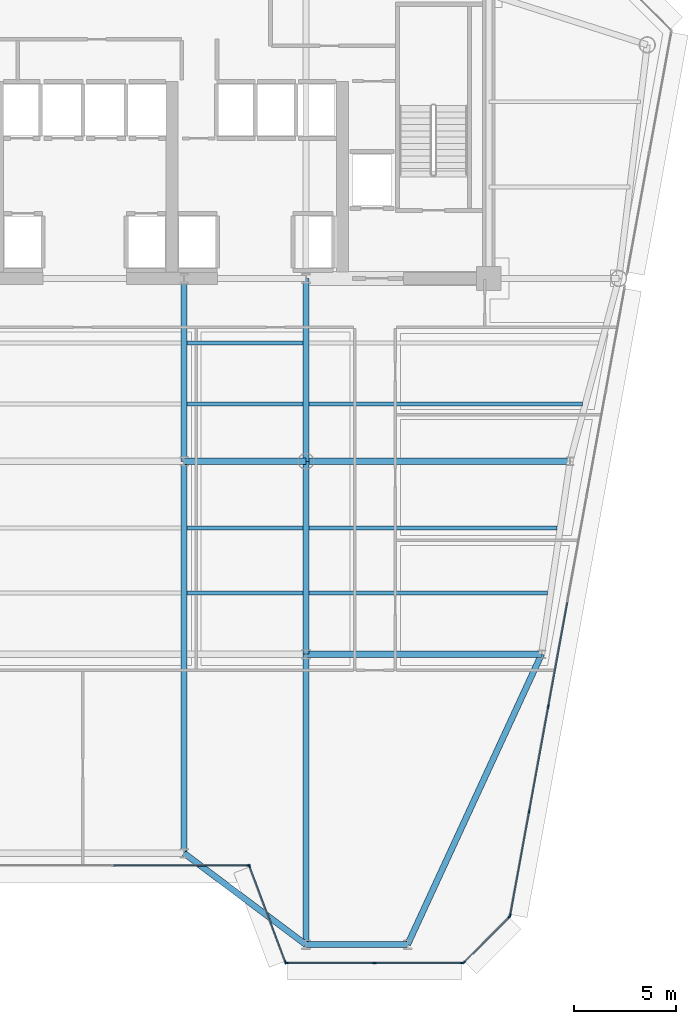
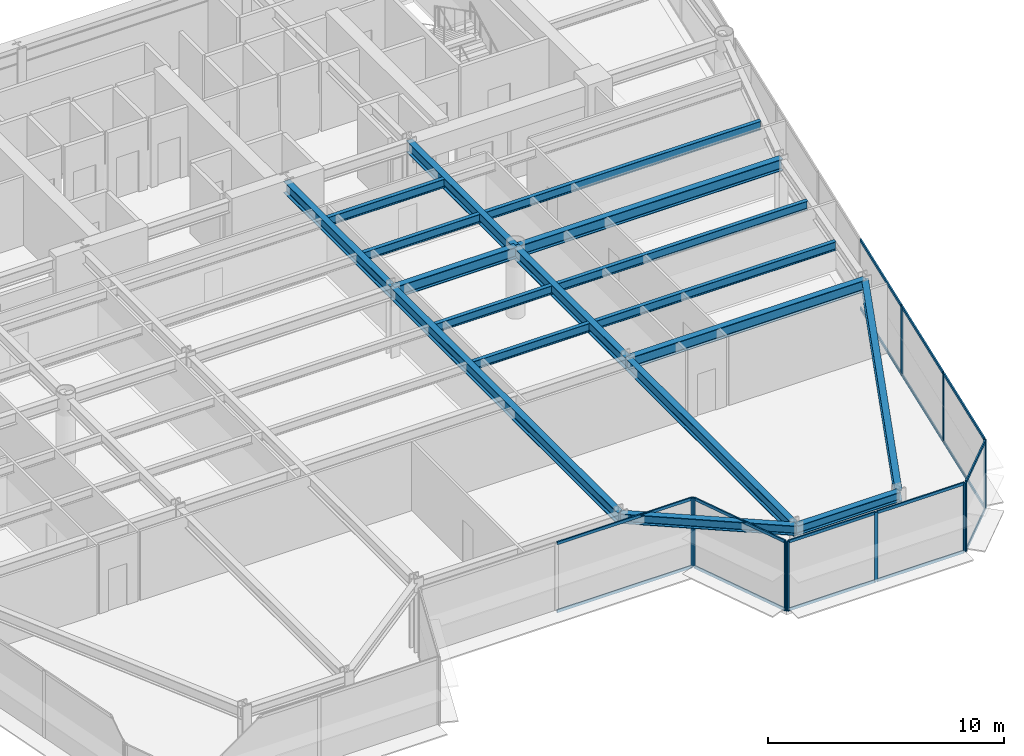
# One storey, part 5 of 17: 27 members, 18 beams, 5 elements without a shape of their own.
"""IFC4 building model written with IfcOpenShell, lengths in metres."""

from ifc_helpers import new_model, si_unit, direction, frame, origin, origin_2d, place, context, subcontext, project, spatial, rectangle, i_section, extrude, source, transform, mapped, material, layer, layer_set, material_profile, profile_set, type_object, element, aggregate, save


model = new_model("IFC4")

# Units and contexts
model_context = context("Model", 3, precision=1e-05, world=origin(), true_north=direction((0.0, 1.0)))
body_context = subcontext(model_context, "Body", "Model", "MODEL_VIEW")
ifc_project = project(units=[si_unit("LENGTHUNIT", "METRE"), si_unit("AREAUNIT", "SQUARE_METRE"), si_unit("VOLUMEUNIT", "CUBIC_METRE"), si_unit("PLANEANGLEUNIT", "RADIAN"), si_unit("MASSUNIT", "GRAM", prefix="KILO")], contexts=[model_context])

# Site, building, storey
site_placement = place(None, origin())
site = spatial("IfcSite", under=ifc_project, at=site_placement, CompositionType="ELEMENT")
building_placement = place(site_placement, origin())
building = spatial("IfcBuilding", under=site, at=building_placement, Name="Vaeldorn Concourse Tower", CompositionType="ELEMENT")
storey_placement = place(building_placement, frame((0.0, 0.0, 169.0)))
storey = spatial("IfcBuildingStorey", under=building, at=storey_placement, Name="L43", CompositionType="ELEMENT", Elevation=169.0)

# Beams
ifc_material_1 = material(Name="Steel S355", Category="steel")
ifc_material_profile_1 = material_profile(ifc_material_1, i_section(OverallWidth=0.300048828125, OverallDepth=0.5, WebThickness=0.014404296875, FlangeThickness=0.028076171875, FilletRadius=0.027099609375, at=origin_2d()), Name="HEB 500")
ifc_profile_set_1 = profile_set([ifc_material_profile_1], Name="Steel S355")
beam_type_1 = type_object("IfcBeamType", Name="BM-SP-HEB500", PredefinedType="SPANDREL", material=ifc_profile_set_1)
shared_shape_1 = source(origin(), body_context, "Body", "SweptSolid", [
    extrude(i_section(OverallWidth=0.300048828125, OverallDepth=0.5, WebThickness=0.014404296875, FlangeThickness=0.028076171875, FilletRadius=0.027099609375, at=origin_2d()), origin(), (0.0, 0.0, 1.0), 5.0),
])
beam_1_placement = place(storey_placement, frame((45.0, 3.699951171875, 3.330078125), z_axis=(1.0, 0.0, 0.0), x_axis=(0.0, 1.0, 0.0)))
element("IfcBeam", 1, at=beam_1_placement, inside=storey, type_object=beam_type_1, Name="Beam BM-L43-C-SF5-C-SF6", PredefinedType="SPANDREL", context=body_context, shape_type="MappedRepresentation", body=[
    mapped(shared_shape_1, transform((0.0, 0.0, 0.0), scale=1.0)),
])
shared_shape_2 = source(origin(), body_context, "Body", "SweptSolid", [
    extrude(i_section(OverallWidth=0.300048828125, OverallDepth=0.5, WebThickness=0.014404296875, FlangeThickness=0.028076171875, FilletRadius=0.027099609375, at=origin_2d()), origin(), (0.0, 0.0, 1.0), 7.5),
])
beam_2_placement = place(storey_placement, frame((39.0, 8.199951171875, 3.330078125), z_axis=(0.8, -0.6, 0.0), x_axis=(0.6, 0.8, 0.0)))
element("IfcBeam", 2, at=beam_2_placement, inside=storey, type_object=beam_type_1, Name="Beam BM-L43-C-SF4-C-SF5", PredefinedType="SPANDREL", context=body_context, shape_type="MappedRepresentation", body=[
    mapped(shared_shape_2, transform((0.0, 0.0, 0.0), scale=1.0)),
])
ifc_material_profile_2 = material_profile(ifc_material_1, i_section(OverallWidth=0.18994140625, OverallDepth=0.449951171875, WebThickness=0.009521484375, FlangeThickness=0.0146484375, FilletRadius=0.02099609375, at=origin_2d()), Name="IPE 450")
ifc_profile_set_2 = profile_set([ifc_material_profile_2], Name="Steel S355")
beam_type_2 = type_object("IfcBeamType", Name="BM-JS-IPE450", PredefinedType="JOIST", material=ifc_profile_set_2)
shared_shape_3 = source(origin(), body_context, "Body", "SweptSolid", [
    extrude(i_section(OverallWidth=0.18994140625, OverallDepth=0.449951171875, WebThickness=0.009521484375, FlangeThickness=0.0146484375, FilletRadius=0.02099609375, at=origin_2d()), origin(), (0.0, 0.0, 1.0), 5.7001953125),
])
for number, where, z_axis, x_axis, name in (
    (3, (39.14990234375, 21.02001953125, 3.35498046875), (1.0, 0.0, 0.0), (0.0, 1.0, 0.0), "Beam JS-L43-E2-210"),
    (4, (39.14990234375, 24.219970703125, 3.35498046875), (1.0, 0.0, 0.0), (0.0, 1.0, 0.0), "Beam JS-L43-E2-242"),
    (5, (39.14990234375, 30.320068359375, 3.35498046875), (1.0, 0.0, 0.0), (0.0, 1.0, 0.0), "Beam JS-L43-E2-303"),
    (6, (39.14990234375, 33.320068359375, 3.35498046875), (1.0, 0.0, 0.0), (0.0, 1.0, 0.0), "Beam JS-L43-E2-333"),
):
    element("IfcBeam", number, at=place(storey_placement, frame(where, z_axis=z_axis, x_axis=x_axis)), inside=storey, type_object=beam_type_2, Name=name, PredefinedType="JOIST", context=body_context, shape_type="MappedRepresentation", body=[
        mapped(shared_shape_3, transform((0.0, 0.0, 0.0), scale=1.0)),
    ])
shared_shape_4 = source(origin(), body_context, "Body", "SweptSolid", [
    extrude(i_section(OverallWidth=0.18994140625, OverallDepth=0.449951171875, WebThickness=0.009521484375, FlangeThickness=0.0146484375, FilletRadius=0.02099609375, at=origin_2d()), origin(), (0.0, 0.0, 1.0), 11.7451171875),
])
beam_3_placement = place(storey_placement, frame((45.14990234375, 21.02001953125, 3.35498046875), z_axis=(1.0, 0.0, 0.0), x_axis=(0.0, 1.0, 0.0)))
element("IfcBeam", 7, at=beam_3_placement, inside=storey, type_object=beam_type_2, Name="Beam JS-L43-E1-210", PredefinedType="JOIST", context=body_context, shape_type="MappedRepresentation", body=[
    mapped(shared_shape_4, transform((0.0, 0.0, 0.0), scale=1.0)),
])
shared_shape_5 = source(origin(), body_context, "Body", "SweptSolid", [
    extrude(i_section(OverallWidth=0.18994140625, OverallDepth=0.449951171875, WebThickness=0.009521484375, FlangeThickness=0.0146484375, FilletRadius=0.02099609375, at=origin_2d()), origin(), (0.0, 0.0, 1.0), 12.216796875),
])
beam_4_placement = place(storey_placement, frame((45.14990234375, 24.219970703125, 3.35498046875), z_axis=(1.0, 0.0, 0.0), x_axis=(0.0, 1.0, 0.0)))
element("IfcBeam", 8, at=beam_4_placement, inside=storey, type_object=beam_type_2, Name="Beam JS-L43-E1-242", PredefinedType="JOIST", context=body_context, shape_type="MappedRepresentation", body=[
    mapped(shared_shape_5, transform((0.0, 0.0, 0.0), scale=1.0)),
])
shared_shape_6 = source(origin(), body_context, "Body", "SweptSolid", [
    extrude(i_section(OverallWidth=0.18994140625, OverallDepth=0.449951171875, WebThickness=0.009521484375, FlangeThickness=0.0146484375, FilletRadius=0.02099609375, at=origin_2d()), origin(), (0.0, 0.0, 1.0), 13.4521484375),
])
beam_5_placement = place(storey_placement, frame((45.14990234375, 30.320068359375, 3.35498046875), z_axis=(1.0, 0.0, 0.0), x_axis=(0.0, 1.0, 0.0)))
element("IfcBeam", 9, at=beam_5_placement, inside=storey, type_object=beam_type_2, Name="Beam JS-L43-E1-303", PredefinedType="JOIST", context=body_context, shape_type="MappedRepresentation", body=[
    mapped(shared_shape_6, transform((0.0, 0.0, 0.0), scale=1.0)),
])
ifc_material_profile_3 = material_profile(ifc_material_1, i_section(OverallWidth=0.300048828125, OverallDepth=0.60009765625, WebThickness=0.015380859375, FlangeThickness=0.030029296875, FilletRadius=0.027099609375, at=origin_2d()), Name="HEB 600")
ifc_profile_set_3 = profile_set([ifc_material_profile_3], Name="Steel S355")
beam_type_3 = type_object("IfcBeamType", Name="BM-PG-HEB600", PredefinedType="BEAM", material=ifc_profile_set_3)
shared_shape_7 = source(origin(), body_context, "Body", "SweptSolid", [
    extrude(i_section(OverallWidth=0.300048828125, OverallDepth=0.60009765625, WebThickness=0.015380859375, FlangeThickness=0.030029296875, FilletRadius=0.027099609375, at=origin_2d()), origin(), (0.0, 0.0, 1.0), 6.0),
])
beam_6_placement = place(storey_placement, frame((39.0, 27.5, 3.280029296875), z_axis=(1.0, 0.0, 0.0), x_axis=(0.0, 1.0, 0.0)))
element("IfcBeam", 10, at=beam_6_placement, inside=storey, type_object=beam_type_3, Name="Beam BM-L43-C-TW3-C-TW4", PredefinedType="BEAM", context=body_context, shape_type="MappedRepresentation", body=[
    mapped(shared_shape_7, transform((0.0, 0.0, 0.0), scale=1.0)),
])
shared_shape_8 = source(origin(), body_context, "Body", "SweptSolid", [
    extrude(i_section(OverallWidth=0.300048828125, OverallDepth=0.60009765625, WebThickness=0.015380859375, FlangeThickness=0.030029296875, FilletRadius=0.027099609375, at=origin_2d()), origin(), (0.0, 0.0, 1.0), 9.0),
])
for number, where, z_axis, x_axis, name in (
    (11, (39.0, 27.5, 3.280029296875), (0.0, 1.0, 0.0), (-1.0, 0.0, 0.0), "Beam BM-L43-C-TW3-C-FC4"),
    (12, (45.0, 27.5, 3.280029296875), (0.0, 1.0, 0.0), (-1.0, 0.0, 0.0), "Beam BM-L43-C-TW4-C-FC5"),
):
    element("IfcBeam", number, at=place(storey_placement, frame(where, z_axis=z_axis, x_axis=x_axis)), inside=storey, type_object=beam_type_3, Name=name, PredefinedType="BEAM", context=body_context, shape_type="MappedRepresentation", body=[
        mapped(shared_shape_8, transform((0.0, 0.0, 0.0), scale=1.0)),
    ])
shared_shape_9 = source(origin(), body_context, "Body", "SweptSolid", [
    extrude(i_section(OverallWidth=0.300048828125, OverallDepth=0.60009765625, WebThickness=0.015380859375, FlangeThickness=0.030029296875, FilletRadius=0.027099609375, at=origin_2d()), origin(), (0.0, 0.0, 1.0), 13.0),
])
beam_7_placement = place(storey_placement, frame((45.0, 27.5, 3.280029296875), z_axis=(1.0, 0.0, 0.0), x_axis=(0.0, 1.0, 0.0)))
element("IfcBeam", 13, at=beam_7_placement, inside=storey, type_object=beam_type_3, Name="Beam BM-L43-C-TW4-C-FLE1", PredefinedType="BEAM", context=body_context, shape_type="MappedRepresentation", body=[
    mapped(shared_shape_9, transform((0.0, 0.0, 0.0), scale=1.0)),
])
shared_shape_10 = source(origin(), body_context, "Body", "SweptSolid", [
    extrude(i_section(OverallWidth=0.300048828125, OverallDepth=0.60009765625, WebThickness=0.015380859375, FlangeThickness=0.030029296875, FilletRadius=0.027099609375, at=origin_2d()), origin(), (0.0, 0.0, 1.0), 11.60009765625),
])
beam_8_placement = place(storey_placement, frame((45.0, 18.0, 3.280029296875), z_axis=(1.0, 0.0, 0.0), x_axis=(0.0, 1.0, 0.0)))
element("IfcBeam", 14, at=beam_8_placement, inside=storey, type_object=beam_type_3, Name="Beam BM-L43-C-TW6-C-FLE2", PredefinedType="BEAM", context=body_context, shape_type="MappedRepresentation", body=[
    mapped(shared_shape_10, transform((0.0, 0.0, 0.0), scale=1.0)),
])
shared_shape_11 = source(origin(), body_context, "Body", "SweptSolid", [
    extrude(i_section(OverallWidth=0.300048828125, OverallDepth=0.60009765625, WebThickness=0.015380859375, FlangeThickness=0.030029296875, FilletRadius=0.027099609375, at=origin_2d()), origin(), (0.0, 0.0, 1.0), 9.5),
])
beam_9_placement = place(storey_placement, frame((45.0, 18.0, 3.280029296875), z_axis=(0.0, 1.0, 0.0), x_axis=(-1.0, 0.0, 0.0)))
element("IfcBeam", 15, at=beam_9_placement, inside=storey, type_object=beam_type_3, Name="Beam BM-L43-C-TW6-C-TW4", PredefinedType="BEAM", context=body_context, shape_type="MappedRepresentation", body=[
    mapped(shared_shape_11, transform((0.0, 0.0, 0.0), scale=1.0)),
])
shared_shape_12 = source(origin(), body_context, "Body", "SweptSolid", [
    extrude(i_section(OverallWidth=0.300048828125, OverallDepth=0.60009765625, WebThickness=0.015380859375, FlangeThickness=0.030029296875, FilletRadius=0.027099609375, at=origin_2d()), origin(), (0.0, 0.0, 1.0), 15.749755859375),
])
beam_10_placement = place(storey_placement, frame((50.0, 3.699951171875, 3.280029296875), z_axis=(0.419062109495, 0.907957569706, 0.0), x_axis=(-0.907957569706, 0.419062109495, 0.0)))
element("IfcBeam", 16, at=beam_10_placement, inside=storey, type_object=beam_type_3, Name="Beam BM-L43-C-SF6-C-FLE2", PredefinedType="BEAM", context=body_context, shape_type="MappedRepresentation", body=[
    mapped(shared_shape_12, transform((0.0, 0.0, 0.0), scale=1.0)),
])
shared_shape_13 = source(origin(), body_context, "Body", "SweptSolid", [
    extrude(i_section(OverallWidth=0.300048828125, OverallDepth=0.60009765625, WebThickness=0.015380859375, FlangeThickness=0.030029296875, FilletRadius=0.027099609375, at=origin_2d()), origin(), (0.0, 0.0, 1.0), 14.300048828125),
])
beam_11_placement = place(storey_placement, frame((45.0, 3.699951171875, 3.280029296875), z_axis=(0.0, 1.0, 0.0), x_axis=(-1.0, 0.0, 0.0)))
element("IfcBeam", 17, at=beam_11_placement, inside=storey, type_object=beam_type_3, Name="Beam BM-L43-C-SF5-C-TW6", PredefinedType="BEAM", context=body_context, shape_type="MappedRepresentation", body=[
    mapped(shared_shape_13, transform((0.0, 0.0, 0.0), scale=1.0)),
])
shared_shape_14 = source(origin(), body_context, "Body", "SweptSolid", [
    extrude(i_section(OverallWidth=0.300048828125, OverallDepth=0.60009765625, WebThickness=0.015380859375, FlangeThickness=0.030029296875, FilletRadius=0.027099609375, at=origin_2d()), origin(), (0.0, 0.0, 1.0), 19.300048828125),
])
beam_12_placement = place(storey_placement, frame((39.0, 8.199951171875, 3.280029296875), z_axis=(0.0, 1.0, 0.0), x_axis=(-1.0, 0.0, 0.0)))
element("IfcBeam", 18, at=beam_12_placement, inside=storey, type_object=beam_type_3, Name="Beam BM-L43-C-SF4-C-TW3", PredefinedType="BEAM", context=body_context, shape_type="MappedRepresentation", body=[
    mapped(shared_shape_14, transform((0.0, 0.0, 0.0), scale=1.0)),
])

# Curtain wall, members
ifc_material_2 = material(Name="Anodised Bronze Aluminium", Category="aluminium")
ifc_layer = layer(ifc_material_2, 0.18994140625)
ifc_layer_set = layer_set([ifc_layer], Name="Anodised Bronze Aluminium")
curtain_wall_type = type_object("IfcCurtainWallType", Name="CW-SYS-03", PredefinedType="NOTDEFINED", material=ifc_layer_set)
curtain_wall_1_placement = place(storey_placement, origin())
curtain_wall_1 = element("IfcCurtainWall", 19, at=curtain_wall_1_placement, inside=storey, type_object=curtain_wall_type, Name="Unitised Curtain Wall CW-L43-E04-1", PredefinedType="NOTDEFINED")
ifc_material_profile_4 = material_profile(ifc_material_2, rectangle(XDim=0.06494140625, YDim=0.14990234375, at=origin_2d()), Name="CWT 65x150")
ifc_profile_set_4 = profile_set([ifc_material_profile_4], Name="Anodised Bronze Aluminium")
member_type_1 = type_object("IfcMemberType", Name="CWT-BRONZE-150", PredefinedType="USERDEFINED", material=ifc_profile_set_4)
shared_shape_15 = source(origin(), body_context, "Body", "SweptSolid", [
    extrude(rectangle(XDim=0.06494140625, YDim=0.14990234375, at=origin_2d()), origin(), (0.0, 0.0, 1.0), 4.996337890625),
])
member_1_placement = place(storey_placement, frame((42.222900390625, 7.5390625, 0.032470703125), z_axis=(0.351134151405, -0.936325161318, 0.0), x_axis=(0.936325161318, 0.351134151405, 0.0)))
member_1 = element("IfcMember", 20, at=member_1_placement, type_object=member_type_1, Name="CW-03 transom 1.1", ObjectType="TRANSOM", PredefinedType="USERDEFINED", context=body_context, shape_type="MappedRepresentation", body=[
    mapped(shared_shape_15, transform((0.0, 0.0, 0.0), scale=1.0)),
])
member_2_placement = place(storey_placement, frame((42.222900390625, 7.5390625, 3.547607421875), z_axis=(0.351134151405, -0.936325161318, 0.0), x_axis=(0.936325161318, 0.351134151405, 0.0)))
member_2 = element("IfcMember", 21, at=member_2_placement, type_object=member_type_1, Name="CW-03 transom 1.2", ObjectType="TRANSOM", PredefinedType="USERDEFINED", context=body_context, shape_type="MappedRepresentation", body=[
    mapped(shared_shape_15, transform((0.0, 0.0, 0.0), scale=1.0)),
])

curtain_wall_2_placement = place(storey_placement, origin())
curtain_wall_2 = element("IfcCurtainWall", 22, at=curtain_wall_2_placement, inside=storey, type_object=curtain_wall_type, Name="Unitised Curtain Wall CW-L43-E03-1", PredefinedType="NOTDEFINED")
shared_shape_16 = source(origin(), body_context, "Body", "SweptSolid", [
    extrude(rectangle(XDim=0.06494140625, YDim=0.14990234375, at=origin_2d()), origin(), (0.0, 0.0, 1.0), 6.6025390625),
])
member_3_placement = place(storey_placement, frame((35.532470703125, 7.60009765625, 0.032470703125), z_axis=(1.0, 0.0, 0.0), x_axis=(0.0, 1.0, 0.0)))
member_3 = element("IfcMember", 23, at=member_3_placement, type_object=member_type_1, Name="CW-03 transom 2.1", ObjectType="TRANSOM", PredefinedType="USERDEFINED", context=body_context, shape_type="MappedRepresentation", body=[
    mapped(shared_shape_16, transform((0.0, 0.0, 0.0), scale=1.0)),
])
member_4_placement = place(storey_placement, frame((35.532470703125, 7.60009765625, 3.547607421875), z_axis=(1.0, 0.0, 0.0), x_axis=(0.0, 1.0, 0.0)))
member_4 = element("IfcMember", 24, at=member_4_placement, type_object=member_type_1, Name="CW-03 transom 2.2", ObjectType="TRANSOM", PredefinedType="USERDEFINED", context=body_context, shape_type="MappedRepresentation", body=[
    mapped(shared_shape_16, transform((0.0, 0.0, 0.0), scale=1.0)),
])

curtain_wall_3_placement = place(storey_placement, origin())
curtain_wall_3 = element("IfcCurtainWall", 25, at=curtain_wall_3_placement, inside=storey, type_object=curtain_wall_type, Name="Unitised Curtain Wall CW-L43-E06-1", PredefinedType="NOTDEFINED")
shared_shape_17 = source(origin(), body_context, "Body", "SweptSolid", [
    extrude(rectangle(XDim=0.06494140625, YDim=0.14990234375, at=origin_2d()), origin(), (0.0, 0.0, 1.0), 3.12255859375),
])
member_5_placement = place(storey_placement, frame((52.79296875, 2.845947265625, 0.032470703125), z_axis=(0.707106781187, 0.707106781187, 0.0), x_axis=(-0.707106781187, 0.707106781187, 0.0)))
member_5 = element("IfcMember", 26, at=member_5_placement, type_object=member_type_1, Name="CW-03 transom 1.1", ObjectType="TRANSOM", PredefinedType="USERDEFINED", context=body_context, shape_type="MappedRepresentation", body=[
    mapped(shared_shape_17, transform((0.0, 0.0, 0.0), scale=1.0)),
])
member_6_placement = place(storey_placement, frame((52.79296875, 2.845947265625, 3.547607421875), z_axis=(0.707106781187, 0.707106781187, 0.0), x_axis=(-0.707106781187, 0.707106781187, 0.0)))
member_6 = element("IfcMember", 27, at=member_6_placement, type_object=member_type_1, Name="CW-03 transom 1.2", ObjectType="TRANSOM", PredefinedType="USERDEFINED", context=body_context, shape_type="MappedRepresentation", body=[
    mapped(shared_shape_17, transform((0.0, 0.0, 0.0), scale=1.0)),
])

curtain_wall_4_placement = place(storey_placement, origin())
curtain_wall_4 = element("IfcCurtainWall", 28, at=curtain_wall_4_placement, inside=storey, type_object=curtain_wall_type, Name="Unitised Curtain Wall CW-L43-E05-1", PredefinedType="NOTDEFINED")
shared_shape_18 = source(origin(), body_context, "Body", "SweptSolid", [
    extrude(rectangle(XDim=0.06494140625, YDim=0.14990234375, at=origin_2d()), origin(), (0.0, 0.0, 1.0), 4.276123046875),
])
member_7_placement = place(storey_placement, frame((44.06494140625, 2.800048828125, 0.032470703125), z_axis=(1.0, 0.0, 0.0), x_axis=(0.0, 1.0, 0.0)))
member_7 = element("IfcMember", 29, at=member_7_placement, type_object=member_type_1, Name="CW-03 transom 1.1", ObjectType="TRANSOM", PredefinedType="USERDEFINED", context=body_context, shape_type="MappedRepresentation", body=[
    mapped(shared_shape_18, transform((0.0, 0.0, 0.0), scale=1.0)),
])
member_8_placement = place(storey_placement, frame((44.06494140625, 2.800048828125, 3.547607421875), z_axis=(1.0, 0.0, 0.0), x_axis=(0.0, 1.0, 0.0)))
member_8 = element("IfcMember", 30, at=member_8_placement, type_object=member_type_1, Name="CW-03 transom 1.2", ObjectType="TRANSOM", PredefinedType="USERDEFINED", context=body_context, shape_type="MappedRepresentation", body=[
    mapped(shared_shape_18, transform((0.0, 0.0, 0.0), scale=1.0)),
])
shared_shape_19 = source(origin(), body_context, "Body", "SweptSolid", [
    extrude(rectangle(XDim=0.06494140625, YDim=0.14990234375, at=origin_2d()), origin(), (0.0, 0.0, 1.0), 4.27587890625),
])
member_9_placement = place(storey_placement, frame((48.406005859375, 2.800048828125, 0.032470703125), z_axis=(1.0, 0.0, 0.0), x_axis=(0.0, 1.0, 0.0)))
member_9 = element("IfcMember", 31, at=member_9_placement, type_object=member_type_1, Name="CW-03 transom 2.1", ObjectType="TRANSOM", PredefinedType="USERDEFINED", context=body_context, shape_type="MappedRepresentation", body=[
    mapped(shared_shape_19, transform((0.0, 0.0, 0.0), scale=1.0)),
])
member_10_placement = place(storey_placement, frame((48.406005859375, 2.800048828125, 3.547607421875), z_axis=(1.0, 0.0, 0.0), x_axis=(0.0, 1.0, 0.0)))
member_10 = element("IfcMember", 32, at=member_10_placement, type_object=member_type_1, Name="CW-03 transom 2.2", ObjectType="TRANSOM", PredefinedType="USERDEFINED", context=body_context, shape_type="MappedRepresentation", body=[
    mapped(shared_shape_19, transform((0.0, 0.0, 0.0), scale=1.0)),
])

curtain_wall_5_placement = place(storey_placement, origin())
curtain_wall_5 = element("IfcCurtainWall", 33, at=curtain_wall_5_placement, inside=storey, type_object=curtain_wall_type, Name="Unitised Curtain Wall CW-L43-E07-1", PredefinedType="NOTDEFINED")
shared_shape_20 = source(origin(), body_context, "Body", "SweptSolid", [
    extrude(rectangle(XDim=0.06494140625, YDim=0.14990234375, at=origin_2d()), origin(), (0.0, 0.0, 1.0), 5.151611328125),
])
member_11_placement = place(storey_placement, frame((55.05859375, 5.1640625, 0.032470703125), z_axis=(0.179473445995, 0.983762818053, 0.0), x_axis=(-0.983762818053, 0.179473445995, 0.0)))
member_11 = element("IfcMember", 34, at=member_11_placement, type_object=member_type_1, Name="CW-03 transom 1.1", ObjectType="TRANSOM", PredefinedType="USERDEFINED", context=body_context, shape_type="MappedRepresentation", body=[
    mapped(shared_shape_20, transform((0.0, 0.0, 0.0), scale=1.0)),
])
member_12_placement = place(storey_placement, frame((55.05859375, 5.1640625, 3.547607421875), z_axis=(0.179473445995, 0.983762818053, 0.0), x_axis=(-0.983762818053, 0.179473445995, 0.0)))
member_12 = element("IfcMember", 35, at=member_12_placement, type_object=member_type_1, Name="CW-03 transom 1.2", ObjectType="TRANSOM", PredefinedType="USERDEFINED", context=body_context, shape_type="MappedRepresentation", body=[
    mapped(shared_shape_20, transform((0.0, 0.0, 0.0), scale=1.0)),
])
shared_shape_21 = source(origin(), body_context, "Body", "SweptSolid", [
    extrude(rectangle(XDim=0.06494140625, YDim=0.14990234375, at=origin_2d()), origin(), (0.0, 0.0, 1.0), 5.18408203125),
])
member_13_placement = place(storey_placement, frame((55.994873046875, 10.2958984375, 0.032470703125), z_axis=(0.179432467646, 0.983770293084, 0.0), x_axis=(-0.983770293084, 0.179432467646, 0.0)))
member_13 = element("IfcMember", 36, at=member_13_placement, type_object=member_type_1, Name="CW-03 transom 2.1", ObjectType="TRANSOM", PredefinedType="USERDEFINED", context=body_context, shape_type="MappedRepresentation", body=[
    mapped(shared_shape_21, transform((0.0, 0.0, 0.0), scale=1.0)),
])
member_14_placement = place(storey_placement, frame((55.994873046875, 10.2958984375, 3.547607421875), z_axis=(0.179432467646, 0.983770293084, 0.0), x_axis=(-0.983770293084, 0.179432467646, 0.0)))
member_14 = element("IfcMember", 37, at=member_14_placement, type_object=member_type_1, Name="CW-03 transom 2.2", ObjectType="TRANSOM", PredefinedType="USERDEFINED", context=body_context, shape_type="MappedRepresentation", body=[
    mapped(shared_shape_21, transform((0.0, 0.0, 0.0), scale=1.0)),
])
shared_shape_22 = source(origin(), body_context, "Body", "SweptSolid", [
    extrude(rectangle(XDim=0.06494140625, YDim=0.14990234375, at=origin_2d()), origin(), (0.0, 0.0, 1.0), 5.184326171875),
])
member_15_placement = place(storey_placement, frame((56.936767578125, 15.459716796875, 0.032470703125), z_axis=(0.179424154775, 0.983771809254, 0.0), x_axis=(-0.983771809254, 0.179424154775, 0.0)))
member_15 = element("IfcMember", 38, at=member_15_placement, type_object=member_type_1, Name="CW-03 transom 3.1", ObjectType="TRANSOM", PredefinedType="USERDEFINED", context=body_context, shape_type="MappedRepresentation", body=[
    mapped(shared_shape_22, transform((0.0, 0.0, 0.0), scale=1.0)),
])
member_16_placement = place(storey_placement, frame((56.936767578125, 15.459716796875, 3.547607421875), z_axis=(0.179424154775, 0.983771809254, 0.0), x_axis=(-0.983771809254, 0.179424154775, 0.0)))
member_16 = element("IfcMember", 39, at=member_16_placement, type_object=member_type_1, Name="CW-03 transom 3.2", ObjectType="TRANSOM", PredefinedType="USERDEFINED", context=body_context, shape_type="MappedRepresentation", body=[
    mapped(shared_shape_22, transform((0.0, 0.0, 0.0), scale=1.0)),
])

# Member
ifc_material_profile_5 = material_profile(ifc_material_2, rectangle(XDim=0.06494140625, YDim=0.169921875, at=origin_2d()), Name="CWM 65x170")
ifc_profile_set_5 = profile_set([ifc_material_profile_5], Name="Anodised Bronze Aluminium")
member_type_2 = type_object("IfcMemberType", Name="CWM-BRONZE-170", PredefinedType="MULLION", material=ifc_profile_set_5)
shared_shape_23 = source(origin(), body_context, "Body", "SweptSolid", [
    extrude(rectangle(XDim=0.06494140625, YDim=0.169921875, at=origin_2d()), origin(), (0.0, 0.0, 1.0), 3.580078125),
])
member_17_placement = place(storey_placement, frame((42.16748046875, 7.60009765625, 0.0), z_axis=(0.0, 0.0, 1.0), x_axis=(0.0, 1.0, 0.0)))
member_17 = element("IfcMember", 40, at=member_17_placement, type_object=member_type_2, Name="CW-03 mullion 3", PredefinedType="MULLION", context=body_context, shape_type="MappedRepresentation", body=[
    mapped(shared_shape_23, transform((0.0, 0.0, 0.0), scale=1.0)),
])

aggregate(curtain_wall_2, [member_17, member_3, member_4])

member_18_placement = place(storey_placement, frame((42.21142578125, 7.569580078125, 0.0), z_axis=(0.0, 0.0, 1.0), x_axis=(0.936329177566, 0.351123441595, 0.0)))
member_18 = element("IfcMember", 41, at=member_18_placement, type_object=member_type_2, Name="CW-03 mullion 1", PredefinedType="MULLION", context=body_context, shape_type="MappedRepresentation", body=[
    mapped(shared_shape_23, transform((0.0, 0.0, 0.0), scale=1.0)),
])

member_19_placement = place(storey_placement, frame((43.988525390625, 2.830322265625, 0.0), z_axis=(0.0, 0.0, 1.0), x_axis=(0.936329177566, 0.351123441595, 0.0)))
member_19 = element("IfcMember", 42, at=member_19_placement, type_object=member_type_2, Name="CW-03 mullion 2", PredefinedType="MULLION", context=body_context, shape_type="MappedRepresentation", body=[
    mapped(shared_shape_23, transform((0.0, 0.0, 0.0), scale=1.0)),
])

aggregate(curtain_wall_1, [member_18, member_19, member_1, member_2])

member_20_placement = place(storey_placement, frame((44.032470703125, 2.800048828125, 0.0), z_axis=(0.0, 0.0, 1.0), x_axis=(0.0, 1.0, 0.0)))
member_20 = element("IfcMember", 43, at=member_20_placement, type_object=member_type_2, Name="CW-03 mullion 1", PredefinedType="MULLION", context=body_context, shape_type="MappedRepresentation", body=[
    mapped(shared_shape_23, transform((0.0, 0.0, 0.0), scale=1.0)),
])

member_21_placement = place(storey_placement, frame((48.37353515625, 2.800048828125, 0.0), z_axis=(0.0, 0.0, 1.0), x_axis=(0.0, 1.0, 0.0)))
member_21 = element("IfcMember", 44, at=member_21_placement, type_object=member_type_2, Name="CW-03 mullion 2", PredefinedType="MULLION", context=body_context, shape_type="MappedRepresentation", body=[
    mapped(shared_shape_23, transform((0.0, 0.0, 0.0), scale=1.0)),
])

member_22_placement = place(storey_placement, frame((52.714599609375, 2.800048828125, 0.0), z_axis=(0.0, 0.0, 1.0), x_axis=(0.0, 1.0, 0.0)))
member_22 = element("IfcMember", 45, at=member_22_placement, type_object=member_type_2, Name="CW-03 mullion 3", PredefinedType="MULLION", context=body_context, shape_type="MappedRepresentation", body=[
    mapped(shared_shape_23, transform((0.0, 0.0, 0.0), scale=1.0)),
])

aggregate(curtain_wall_4, [member_20, member_21, member_22, member_7, member_8, member_9, member_10])

member_23_placement = place(storey_placement, frame((52.77001953125, 2.822998046875, 0.0), z_axis=(0.0, 0.0, 1.0), x_axis=(-0.707106781187, 0.707106781187, 0.0)))
member_23 = element("IfcMember", 46, at=member_23_placement, type_object=member_type_2, Name="CW-03 mullion 1", PredefinedType="MULLION", context=body_context, shape_type="MappedRepresentation", body=[
    mapped(shared_shape_23, transform((0.0, 0.0, 0.0), scale=1.0)),
])

member_24_placement = place(storey_placement, frame((55.02392578125, 5.076904296875, 0.0), z_axis=(0.0, 0.0, 1.0), x_axis=(-0.707106781187, 0.707106781187, 0.0)))
member_24 = element("IfcMember", 47, at=member_24_placement, type_object=member_type_2, Name="CW-03 mullion 2", PredefinedType="MULLION", context=body_context, shape_type="MappedRepresentation", body=[
    mapped(shared_shape_23, transform((0.0, 0.0, 0.0), scale=1.0)),
])

aggregate(curtain_wall_3, [member_23, member_24, member_5, member_6])

member_25_placement = place(storey_placement, frame((55.052734375, 5.132080078125, 0.0), z_axis=(0.0, 0.0, 1.0), x_axis=(-0.983767841325, 0.179445909331, 0.0)))
member_25 = element("IfcMember", 48, at=member_25_placement, type_object=member_type_2, Name="CW-03 mullion 1", PredefinedType="MULLION", context=body_context, shape_type="MappedRepresentation", body=[
    mapped(shared_shape_23, transform((0.0, 0.0, 0.0), scale=1.0)),
])

member_26_placement = place(storey_placement, frame((55.989013671875, 10.263916015625, 0.0), z_axis=(0.0, 0.0, 1.0), x_axis=(-0.983767841325, 0.179445909331, 0.0)))
member_26 = element("IfcMember", 49, at=member_26_placement, type_object=member_type_2, Name="CW-03 mullion 2", PredefinedType="MULLION", context=body_context, shape_type="MappedRepresentation", body=[
    mapped(shared_shape_23, transform((0.0, 0.0, 0.0), scale=1.0)),
])

member_27_placement = place(storey_placement, frame((56.930908203125, 15.427734375, 0.0), z_axis=(0.0, 0.0, 1.0), x_axis=(-0.983767841325, 0.179445909331, 0.0)))
member_27 = element("IfcMember", 50, at=member_27_placement, type_object=member_type_2, Name="CW-03 mullion 3", PredefinedType="MULLION", context=body_context, shape_type="MappedRepresentation", body=[
    mapped(shared_shape_23, transform((0.0, 0.0, 0.0), scale=1.0)),
])

aggregate(curtain_wall_5, [member_25, member_26, member_27, member_11, member_12, member_13, member_14, member_15, member_16])

save(model, "model.ifc")
